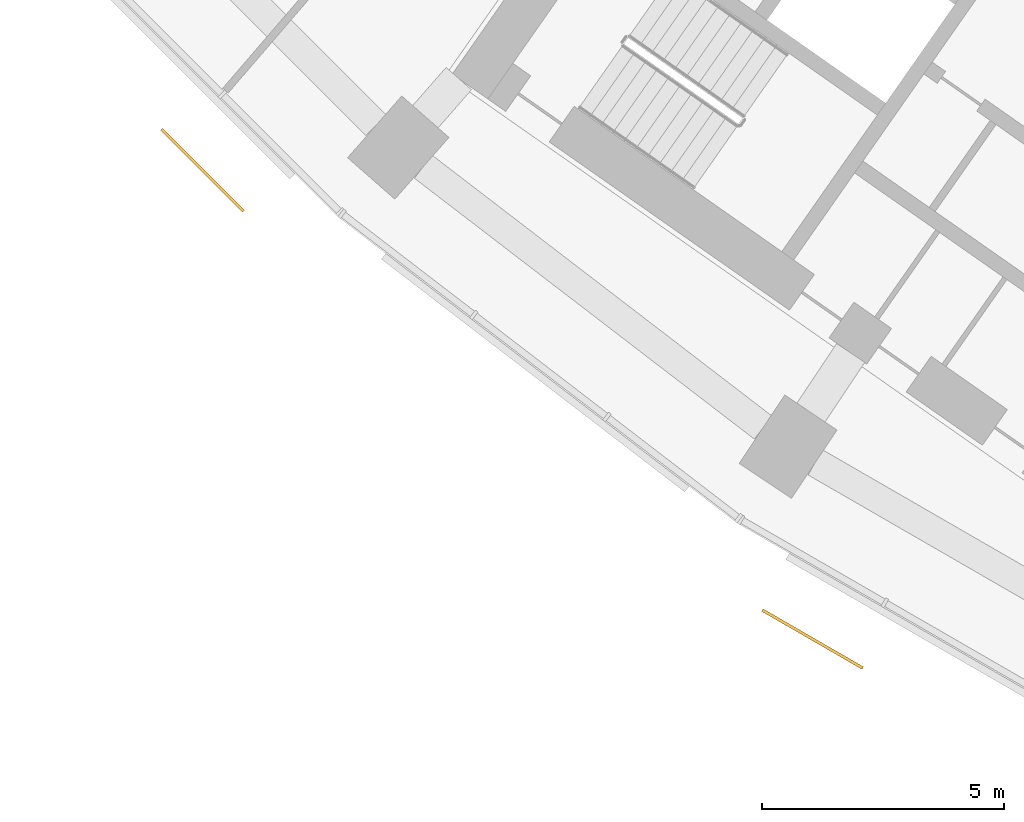
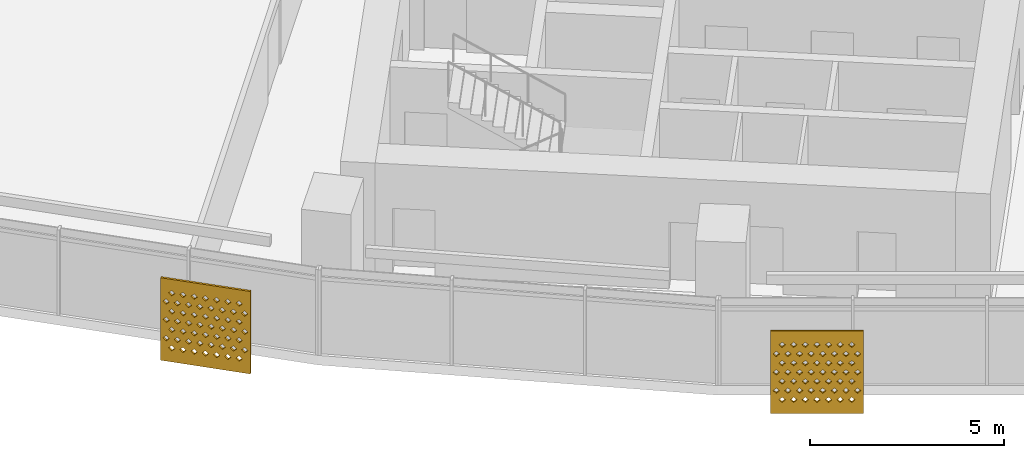
# One storey, part 24 of 31: 2 shading devices.
"""IFC4 building model written with IfcOpenShell, lengths in metres."""

from ifc_helpers import new_model, si_unit, direction, frame, origin, place, context, subcontext, project, spatial, polyline, outline, extrude, material, material_profile, profile_set, type_object, element, save


model = new_model("IFC4")

# Units and contexts
model_context = context("Model", 3, precision=1e-05, world=origin(), true_north=direction((0.0, 1.0)))
body_context = subcontext(model_context, "Body", "Model", "MODEL_VIEW")
ifc_project = project(units=[si_unit("LENGTHUNIT", "METRE"), si_unit("AREAUNIT", "SQUARE_METRE"), si_unit("VOLUMEUNIT", "CUBIC_METRE"), si_unit("PLANEANGLEUNIT", "RADIAN"), si_unit("MASSUNIT", "GRAM", prefix="KILO")], contexts=[model_context])

# Site, building, storey
site_placement = place(None, origin())
site = spatial("IfcSite", under=ifc_project, at=site_placement, CompositionType="ELEMENT")
building_placement = place(site_placement, origin())
building = spatial("IfcBuilding", under=site, at=building_placement, Name="Qamariyya Broadcast Tower", CompositionType="ELEMENT")
storey_placement = place(building_placement, frame((0.0, 0.0, 51.89990234375)))
storey = spatial("IfcBuildingStorey", under=building, at=storey_placement, Name="L09", CompositionType="ELEMENT", Elevation=51.89990234375)

# Shading devices
ifc_material = material(Name="Perforated glazed terracotta", Category="masonry")
ifc_material_profile = material_profile(ifc_material, outline(polyline([(-1.199951171875, -1.300048828125), (1.199951171875, -1.300048828125), (1.199951171875, 1.300048828125), (-1.199951171875, 1.300048828125), (-1.199951171875, -1.300048828125)]), holes=[polyline([(-0.81494140625, -0.86669921875), (-0.89990234375, -0.78173828125), (-0.985107421875, -0.86669921875), (-0.89990234375, -0.95166015625), (-0.81494140625, -0.86669921875)]), polyline([(-0.514892578125, -0.86669921875), (-0.60009765625, -0.78173828125), (-0.68505859375, -0.86669921875), (-0.60009765625, -0.95166015625), (-0.514892578125, -0.86669921875)]), polyline([(-0.215087890625, -0.86669921875), (-0.300048828125, -0.78173828125), (-0.385009765625, -0.86669921875), (-0.300048828125, -0.95166015625), (-0.215087890625, -0.86669921875)]), polyline([(0.0849609375, -0.86669921875), (0.0, -0.78173828125), (-0.0849609375, -0.86669921875), (0.0, -0.95166015625), (0.0849609375, -0.86669921875)]), polyline([(0.385009765625, -0.86669921875), (0.300048828125, -0.78173828125), (0.215087890625, -0.86669921875), (0.300048828125, -0.95166015625), (0.385009765625, -0.86669921875)]), polyline([(0.68505859375, -0.86669921875), (0.60009765625, -0.78173828125), (0.514892578125, -0.86669921875), (0.60009765625, -0.95166015625), (0.68505859375, -0.86669921875)]), polyline([(0.985107421875, -0.86669921875), (0.89990234375, -0.78173828125), (0.81494140625, -0.86669921875), (0.89990234375, -0.95166015625), (0.985107421875, -0.86669921875)]), polyline([(-0.965087890625, -0.577880859375), (-1.050048828125, -0.49267578125), (-1.135009765625, -0.577880859375), (-1.050048828125, -0.662841796875), (-0.965087890625, -0.577880859375)]), polyline([(-0.6650390625, -0.577880859375), (-0.75, -0.49267578125), (-0.8349609375, -0.577880859375), (-0.75, -0.662841796875), (-0.6650390625, -0.577880859375)]), polyline([(-0.364990234375, -0.577880859375), (-0.449951171875, -0.49267578125), (-0.534912109375, -0.577880859375), (-0.449951171875, -0.662841796875), (-0.364990234375, -0.577880859375)]), polyline([(-0.06494140625, -0.577880859375), (-0.14990234375, -0.49267578125), (-0.235107421875, -0.577880859375), (-0.14990234375, -0.662841796875), (-0.06494140625, -0.577880859375)]), polyline([(0.235107421875, -0.577880859375), (0.14990234375, -0.49267578125), (0.06494140625, -0.577880859375), (0.14990234375, -0.662841796875), (0.235107421875, -0.577880859375)]), polyline([(0.534912109375, -0.577880859375), (0.449951171875, -0.49267578125), (0.364990234375, -0.577880859375), (0.449951171875, -0.662841796875), (0.534912109375, -0.577880859375)]), polyline([(0.8349609375, -0.577880859375), (0.75, -0.49267578125), (0.6650390625, -0.577880859375), (0.75, -0.662841796875), (0.8349609375, -0.577880859375)]), polyline([(1.135009765625, -0.577880859375), (1.050048828125, -0.49267578125), (0.965087890625, -0.577880859375), (1.050048828125, -0.662841796875), (1.135009765625, -0.577880859375)]), polyline([(-0.81494140625, -0.288818359375), (-0.89990234375, -0.203857421875), (-0.985107421875, -0.288818359375), (-0.89990234375, -0.373779296875), (-0.81494140625, -0.288818359375)]), polyline([(-0.514892578125, -0.288818359375), (-0.60009765625, -0.203857421875), (-0.68505859375, -0.288818359375), (-0.60009765625, -0.373779296875), (-0.514892578125, -0.288818359375)]), polyline([(-0.215087890625, -0.288818359375), (-0.300048828125, -0.203857421875), (-0.385009765625, -0.288818359375), (-0.300048828125, -0.373779296875), (-0.215087890625, -0.288818359375)]), polyline([(0.0849609375, -0.288818359375), (0.0, -0.203857421875), (-0.0849609375, -0.288818359375), (0.0, -0.373779296875), (0.0849609375, -0.288818359375)]), polyline([(0.385009765625, -0.288818359375), (0.300048828125, -0.203857421875), (0.215087890625, -0.288818359375), (0.300048828125, -0.373779296875), (0.385009765625, -0.288818359375)]), polyline([(0.68505859375, -0.288818359375), (0.60009765625, -0.203857421875), (0.514892578125, -0.288818359375), (0.60009765625, -0.373779296875), (0.68505859375, -0.288818359375)]), polyline([(0.985107421875, -0.288818359375), (0.89990234375, -0.203857421875), (0.81494140625, -0.288818359375), (0.89990234375, -0.373779296875), (0.985107421875, -0.288818359375)]), polyline([(-0.965087890625, 0.0), (-1.050048828125, 0.0849609375), (-1.135009765625, 0.0), (-1.050048828125, -0.0849609375), (-0.965087890625, 0.0)]), polyline([(-0.6650390625, 0.0), (-0.75, 0.0849609375), (-0.8349609375, 0.0), (-0.75, -0.0849609375), (-0.6650390625, 0.0)]), polyline([(-0.364990234375, 0.0), (-0.449951171875, 0.0849609375), (-0.534912109375, 0.0), (-0.449951171875, -0.0849609375), (-0.364990234375, 0.0)]), polyline([(-0.06494140625, 0.0), (-0.14990234375, 0.0849609375), (-0.235107421875, 0.0), (-0.14990234375, -0.0849609375), (-0.06494140625, 0.0)]), polyline([(0.235107421875, 0.0), (0.14990234375, 0.0849609375), (0.06494140625, 0.0), (0.14990234375, -0.0849609375), (0.235107421875, 0.0)]), polyline([(0.534912109375, 0.0), (0.449951171875, 0.0849609375), (0.364990234375, 0.0), (0.449951171875, -0.0849609375), (0.534912109375, 0.0)]), polyline([(0.8349609375, 0.0), (0.75, 0.0849609375), (0.6650390625, 0.0), (0.75, -0.0849609375), (0.8349609375, 0.0)]), polyline([(1.135009765625, 0.0), (1.050048828125, 0.0849609375), (0.965087890625, 0.0), (1.050048828125, -0.0849609375), (1.135009765625, 0.0)]), polyline([(-0.81494140625, 0.288818359375), (-0.89990234375, 0.373779296875), (-0.985107421875, 0.288818359375), (-0.89990234375, 0.203857421875), (-0.81494140625, 0.288818359375)]), polyline([(-0.514892578125, 0.288818359375), (-0.60009765625, 0.373779296875), (-0.68505859375, 0.288818359375), (-0.60009765625, 0.203857421875), (-0.514892578125, 0.288818359375)]), polyline([(-0.215087890625, 0.288818359375), (-0.300048828125, 0.373779296875), (-0.385009765625, 0.288818359375), (-0.300048828125, 0.203857421875), (-0.215087890625, 0.288818359375)]), polyline([(0.0849609375, 0.288818359375), (0.0, 0.373779296875), (-0.0849609375, 0.288818359375), (0.0, 0.203857421875), (0.0849609375, 0.288818359375)]), polyline([(0.385009765625, 0.288818359375), (0.300048828125, 0.373779296875), (0.215087890625, 0.288818359375), (0.300048828125, 0.203857421875), (0.385009765625, 0.288818359375)]), polyline([(0.68505859375, 0.288818359375), (0.60009765625, 0.373779296875), (0.514892578125, 0.288818359375), (0.60009765625, 0.203857421875), (0.68505859375, 0.288818359375)]), polyline([(0.985107421875, 0.288818359375), (0.89990234375, 0.373779296875), (0.81494140625, 0.288818359375), (0.89990234375, 0.203857421875), (0.985107421875, 0.288818359375)]), polyline([(-0.965087890625, 0.577880859375), (-1.050048828125, 0.662841796875), (-1.135009765625, 0.577880859375), (-1.050048828125, 0.49267578125), (-0.965087890625, 0.577880859375)]), polyline([(-0.6650390625, 0.577880859375), (-0.75, 0.662841796875), (-0.8349609375, 0.577880859375), (-0.75, 0.49267578125), (-0.6650390625, 0.577880859375)]), polyline([(-0.364990234375, 0.577880859375), (-0.449951171875, 0.662841796875), (-0.534912109375, 0.577880859375), (-0.449951171875, 0.49267578125), (-0.364990234375, 0.577880859375)]), polyline([(-0.06494140625, 0.577880859375), (-0.14990234375, 0.662841796875), (-0.235107421875, 0.577880859375), (-0.14990234375, 0.49267578125), (-0.06494140625, 0.577880859375)]), polyline([(0.235107421875, 0.577880859375), (0.14990234375, 0.662841796875), (0.06494140625, 0.577880859375), (0.14990234375, 0.49267578125), (0.235107421875, 0.577880859375)]), polyline([(0.534912109375, 0.577880859375), (0.449951171875, 0.662841796875), (0.364990234375, 0.577880859375), (0.449951171875, 0.49267578125), (0.534912109375, 0.577880859375)]), polyline([(0.8349609375, 0.577880859375), (0.75, 0.662841796875), (0.6650390625, 0.577880859375), (0.75, 0.49267578125), (0.8349609375, 0.577880859375)]), polyline([(1.135009765625, 0.577880859375), (1.050048828125, 0.662841796875), (0.965087890625, 0.577880859375), (1.050048828125, 0.49267578125), (1.135009765625, 0.577880859375)]), polyline([(-0.81494140625, 0.86669921875), (-0.89990234375, 0.95166015625), (-0.985107421875, 0.86669921875), (-0.89990234375, 0.78173828125), (-0.81494140625, 0.86669921875)]), polyline([(-0.514892578125, 0.86669921875), (-0.60009765625, 0.95166015625), (-0.68505859375, 0.86669921875), (-0.60009765625, 0.78173828125), (-0.514892578125, 0.86669921875)]), polyline([(-0.215087890625, 0.86669921875), (-0.300048828125, 0.95166015625), (-0.385009765625, 0.86669921875), (-0.300048828125, 0.78173828125), (-0.215087890625, 0.86669921875)]), polyline([(0.0849609375, 0.86669921875), (0.0, 0.95166015625), (-0.0849609375, 0.86669921875), (0.0, 0.78173828125), (0.0849609375, 0.86669921875)]), polyline([(0.385009765625, 0.86669921875), (0.300048828125, 0.95166015625), (0.215087890625, 0.86669921875), (0.300048828125, 0.78173828125), (0.385009765625, 0.86669921875)]), polyline([(0.68505859375, 0.86669921875), (0.60009765625, 0.95166015625), (0.514892578125, 0.86669921875), (0.60009765625, 0.78173828125), (0.68505859375, 0.86669921875)]), polyline([(0.985107421875, 0.86669921875), (0.89990234375, 0.95166015625), (0.81494140625, 0.86669921875), (0.89990234375, 0.78173828125), (0.985107421875, 0.86669921875)])]))
ifc_profile_set = profile_set([ifc_material_profile], Name="Perforated glazed terracotta")
shading_device_type = type_object("IfcShadingDeviceType", Name="Perforated terracotta screen 2400 x 2600", PredefinedType="USERDEFINED", material=ifc_profile_set)
shading_device_1_placement = place(storey_placement, frame((-55.293701171875, -58.9033203125, 1.35009765625), z_axis=(-0.707106781187, -0.707106781187, 0.0), x_axis=(0.707106781187, -0.707106781187, 0.0)))
element("IfcShadingDevice", 1, at=shading_device_1_placement, inside=storey, type_object=shading_device_type, Name="e-scr-L09-02-2", ObjectType="SCREEN", PredefinedType="USERDEFINED", context=body_context, shape_type="SweptSolid", body=[
    extrude(outline(polyline([(-1.199951171875, -1.300048828125), (1.199951171875, -1.300048828125), (1.199951171875, 1.300048828125), (-1.199951171875, 1.300048828125), (-1.199951171875, -1.300048828125)]), holes=[polyline([(-0.81494140625, -0.86669921875), (-0.89990234375, -0.78173828125), (-0.985107421875, -0.86669921875), (-0.89990234375, -0.95166015625), (-0.81494140625, -0.86669921875)]), polyline([(-0.514892578125, -0.86669921875), (-0.60009765625, -0.78173828125), (-0.68505859375, -0.86669921875), (-0.60009765625, -0.95166015625), (-0.514892578125, -0.86669921875)]), polyline([(-0.215087890625, -0.86669921875), (-0.300048828125, -0.78173828125), (-0.385009765625, -0.86669921875), (-0.300048828125, -0.95166015625), (-0.215087890625, -0.86669921875)]), polyline([(0.0849609375, -0.86669921875), (0.0, -0.78173828125), (-0.0849609375, -0.86669921875), (0.0, -0.95166015625), (0.0849609375, -0.86669921875)]), polyline([(0.385009765625, -0.86669921875), (0.300048828125, -0.78173828125), (0.215087890625, -0.86669921875), (0.300048828125, -0.95166015625), (0.385009765625, -0.86669921875)]), polyline([(0.68505859375, -0.86669921875), (0.60009765625, -0.78173828125), (0.514892578125, -0.86669921875), (0.60009765625, -0.95166015625), (0.68505859375, -0.86669921875)]), polyline([(0.985107421875, -0.86669921875), (0.89990234375, -0.78173828125), (0.81494140625, -0.86669921875), (0.89990234375, -0.95166015625), (0.985107421875, -0.86669921875)]), polyline([(-0.965087890625, -0.577880859375), (-1.050048828125, -0.49267578125), (-1.135009765625, -0.577880859375), (-1.050048828125, -0.662841796875), (-0.965087890625, -0.577880859375)]), polyline([(-0.6650390625, -0.577880859375), (-0.75, -0.49267578125), (-0.8349609375, -0.577880859375), (-0.75, -0.662841796875), (-0.6650390625, -0.577880859375)]), polyline([(-0.364990234375, -0.577880859375), (-0.449951171875, -0.49267578125), (-0.534912109375, -0.577880859375), (-0.449951171875, -0.662841796875), (-0.364990234375, -0.577880859375)]), polyline([(-0.06494140625, -0.577880859375), (-0.14990234375, -0.49267578125), (-0.235107421875, -0.577880859375), (-0.14990234375, -0.662841796875), (-0.06494140625, -0.577880859375)]), polyline([(0.235107421875, -0.577880859375), (0.14990234375, -0.49267578125), (0.06494140625, -0.577880859375), (0.14990234375, -0.662841796875), (0.235107421875, -0.577880859375)]), polyline([(0.534912109375, -0.577880859375), (0.449951171875, -0.49267578125), (0.364990234375, -0.577880859375), (0.449951171875, -0.662841796875), (0.534912109375, -0.577880859375)]), polyline([(0.8349609375, -0.577880859375), (0.75, -0.49267578125), (0.6650390625, -0.577880859375), (0.75, -0.662841796875), (0.8349609375, -0.577880859375)]), polyline([(1.135009765625, -0.577880859375), (1.050048828125, -0.49267578125), (0.965087890625, -0.577880859375), (1.050048828125, -0.662841796875), (1.135009765625, -0.577880859375)]), polyline([(-0.81494140625, -0.288818359375), (-0.89990234375, -0.203857421875), (-0.985107421875, -0.288818359375), (-0.89990234375, -0.373779296875), (-0.81494140625, -0.288818359375)]), polyline([(-0.514892578125, -0.288818359375), (-0.60009765625, -0.203857421875), (-0.68505859375, -0.288818359375), (-0.60009765625, -0.373779296875), (-0.514892578125, -0.288818359375)]), polyline([(-0.215087890625, -0.288818359375), (-0.300048828125, -0.203857421875), (-0.385009765625, -0.288818359375), (-0.300048828125, -0.373779296875), (-0.215087890625, -0.288818359375)]), polyline([(0.0849609375, -0.288818359375), (0.0, -0.203857421875), (-0.0849609375, -0.288818359375), (0.0, -0.373779296875), (0.0849609375, -0.288818359375)]), polyline([(0.385009765625, -0.288818359375), (0.300048828125, -0.203857421875), (0.215087890625, -0.288818359375), (0.300048828125, -0.373779296875), (0.385009765625, -0.288818359375)]), polyline([(0.68505859375, -0.288818359375), (0.60009765625, -0.203857421875), (0.514892578125, -0.288818359375), (0.60009765625, -0.373779296875), (0.68505859375, -0.288818359375)]), polyline([(0.985107421875, -0.288818359375), (0.89990234375, -0.203857421875), (0.81494140625, -0.288818359375), (0.89990234375, -0.373779296875), (0.985107421875, -0.288818359375)]), polyline([(-0.965087890625, 0.0), (-1.050048828125, 0.0849609375), (-1.135009765625, 0.0), (-1.050048828125, -0.0849609375), (-0.965087890625, 0.0)]), polyline([(-0.6650390625, 0.0), (-0.75, 0.0849609375), (-0.8349609375, 0.0), (-0.75, -0.0849609375), (-0.6650390625, 0.0)]), polyline([(-0.364990234375, 0.0), (-0.449951171875, 0.0849609375), (-0.534912109375, 0.0), (-0.449951171875, -0.0849609375), (-0.364990234375, 0.0)]), polyline([(-0.06494140625, 0.0), (-0.14990234375, 0.0849609375), (-0.235107421875, 0.0), (-0.14990234375, -0.0849609375), (-0.06494140625, 0.0)]), polyline([(0.235107421875, 0.0), (0.14990234375, 0.0849609375), (0.06494140625, 0.0), (0.14990234375, -0.0849609375), (0.235107421875, 0.0)]), polyline([(0.534912109375, 0.0), (0.449951171875, 0.0849609375), (0.364990234375, 0.0), (0.449951171875, -0.0849609375), (0.534912109375, 0.0)]), polyline([(0.8349609375, 0.0), (0.75, 0.0849609375), (0.6650390625, 0.0), (0.75, -0.0849609375), (0.8349609375, 0.0)]), polyline([(1.135009765625, 0.0), (1.050048828125, 0.0849609375), (0.965087890625, 0.0), (1.050048828125, -0.0849609375), (1.135009765625, 0.0)]), polyline([(-0.81494140625, 0.288818359375), (-0.89990234375, 0.373779296875), (-0.985107421875, 0.288818359375), (-0.89990234375, 0.203857421875), (-0.81494140625, 0.288818359375)]), polyline([(-0.514892578125, 0.288818359375), (-0.60009765625, 0.373779296875), (-0.68505859375, 0.288818359375), (-0.60009765625, 0.203857421875), (-0.514892578125, 0.288818359375)]), polyline([(-0.215087890625, 0.288818359375), (-0.300048828125, 0.373779296875), (-0.385009765625, 0.288818359375), (-0.300048828125, 0.203857421875), (-0.215087890625, 0.288818359375)]), polyline([(0.0849609375, 0.288818359375), (0.0, 0.373779296875), (-0.0849609375, 0.288818359375), (0.0, 0.203857421875), (0.0849609375, 0.288818359375)]), polyline([(0.385009765625, 0.288818359375), (0.300048828125, 0.373779296875), (0.215087890625, 0.288818359375), (0.300048828125, 0.203857421875), (0.385009765625, 0.288818359375)]), polyline([(0.68505859375, 0.288818359375), (0.60009765625, 0.373779296875), (0.514892578125, 0.288818359375), (0.60009765625, 0.203857421875), (0.68505859375, 0.288818359375)]), polyline([(0.985107421875, 0.288818359375), (0.89990234375, 0.373779296875), (0.81494140625, 0.288818359375), (0.89990234375, 0.203857421875), (0.985107421875, 0.288818359375)]), polyline([(-0.965087890625, 0.577880859375), (-1.050048828125, 0.662841796875), (-1.135009765625, 0.577880859375), (-1.050048828125, 0.49267578125), (-0.965087890625, 0.577880859375)]), polyline([(-0.6650390625, 0.577880859375), (-0.75, 0.662841796875), (-0.8349609375, 0.577880859375), (-0.75, 0.49267578125), (-0.6650390625, 0.577880859375)]), polyline([(-0.364990234375, 0.577880859375), (-0.449951171875, 0.662841796875), (-0.534912109375, 0.577880859375), (-0.449951171875, 0.49267578125), (-0.364990234375, 0.577880859375)]), polyline([(-0.06494140625, 0.577880859375), (-0.14990234375, 0.662841796875), (-0.235107421875, 0.577880859375), (-0.14990234375, 0.49267578125), (-0.06494140625, 0.577880859375)]), polyline([(0.235107421875, 0.577880859375), (0.14990234375, 0.662841796875), (0.06494140625, 0.577880859375), (0.14990234375, 0.49267578125), (0.235107421875, 0.577880859375)]), polyline([(0.534912109375, 0.577880859375), (0.449951171875, 0.662841796875), (0.364990234375, 0.577880859375), (0.449951171875, 0.49267578125), (0.534912109375, 0.577880859375)]), polyline([(0.8349609375, 0.577880859375), (0.75, 0.662841796875), (0.6650390625, 0.577880859375), (0.75, 0.49267578125), (0.8349609375, 0.577880859375)]), polyline([(1.135009765625, 0.577880859375), (1.050048828125, 0.662841796875), (0.965087890625, 0.577880859375), (1.050048828125, 0.49267578125), (1.135009765625, 0.577880859375)]), polyline([(-0.81494140625, 0.86669921875), (-0.89990234375, 0.95166015625), (-0.985107421875, 0.86669921875), (-0.89990234375, 0.78173828125), (-0.81494140625, 0.86669921875)]), polyline([(-0.514892578125, 0.86669921875), (-0.60009765625, 0.95166015625), (-0.68505859375, 0.86669921875), (-0.60009765625, 0.78173828125), (-0.514892578125, 0.86669921875)]), polyline([(-0.215087890625, 0.86669921875), (-0.300048828125, 0.95166015625), (-0.385009765625, 0.86669921875), (-0.300048828125, 0.78173828125), (-0.215087890625, 0.86669921875)]), polyline([(0.0849609375, 0.86669921875), (0.0, 0.95166015625), (-0.0849609375, 0.86669921875), (0.0, 0.78173828125), (0.0849609375, 0.86669921875)]), polyline([(0.385009765625, 0.86669921875), (0.300048828125, 0.95166015625), (0.215087890625, 0.86669921875), (0.300048828125, 0.78173828125), (0.385009765625, 0.86669921875)]), polyline([(0.68505859375, 0.86669921875), (0.60009765625, 0.95166015625), (0.514892578125, 0.86669921875), (0.60009765625, 0.78173828125), (0.68505859375, 0.86669921875)]), polyline([(0.985107421875, 0.86669921875), (0.89990234375, 0.95166015625), (0.81494140625, 0.86669921875), (0.89990234375, 0.78173828125), (0.985107421875, 0.86669921875)])]), origin(), (0.0, 0.0, 1.0), 0.06005859375),
])
shading_device_2_placement = place(storey_placement, frame((-42.67578125, -68.6025390625, 1.35009765625), z_axis=(-0.500074377092, -0.865982457891, 0.0), x_axis=(0.865982457891, -0.500074377092, 0.0)))
element("IfcShadingDevice", 2, at=shading_device_2_placement, inside=storey, type_object=shading_device_type, Name="e-scr-L09-04-0", ObjectType="SCREEN", PredefinedType="USERDEFINED", context=body_context, shape_type="SweptSolid", body=[
    extrude(outline(polyline([(-1.199951171875, -1.300048828125), (1.199951171875, -1.300048828125), (1.199951171875, 1.300048828125), (-1.199951171875, 1.300048828125), (-1.199951171875, -1.300048828125)]), holes=[polyline([(-0.81494140625, -0.86669921875), (-0.89990234375, -0.78173828125), (-0.985107421875, -0.86669921875), (-0.89990234375, -0.95166015625), (-0.81494140625, -0.86669921875)]), polyline([(-0.514892578125, -0.86669921875), (-0.60009765625, -0.78173828125), (-0.68505859375, -0.86669921875), (-0.60009765625, -0.95166015625), (-0.514892578125, -0.86669921875)]), polyline([(-0.215087890625, -0.86669921875), (-0.300048828125, -0.78173828125), (-0.385009765625, -0.86669921875), (-0.300048828125, -0.95166015625), (-0.215087890625, -0.86669921875)]), polyline([(0.0849609375, -0.86669921875), (0.0, -0.78173828125), (-0.0849609375, -0.86669921875), (0.0, -0.95166015625), (0.0849609375, -0.86669921875)]), polyline([(0.385009765625, -0.86669921875), (0.300048828125, -0.78173828125), (0.215087890625, -0.86669921875), (0.300048828125, -0.95166015625), (0.385009765625, -0.86669921875)]), polyline([(0.68505859375, -0.86669921875), (0.60009765625, -0.78173828125), (0.514892578125, -0.86669921875), (0.60009765625, -0.95166015625), (0.68505859375, -0.86669921875)]), polyline([(0.985107421875, -0.86669921875), (0.89990234375, -0.78173828125), (0.81494140625, -0.86669921875), (0.89990234375, -0.95166015625), (0.985107421875, -0.86669921875)]), polyline([(-0.965087890625, -0.577880859375), (-1.050048828125, -0.49267578125), (-1.135009765625, -0.577880859375), (-1.050048828125, -0.662841796875), (-0.965087890625, -0.577880859375)]), polyline([(-0.6650390625, -0.577880859375), (-0.75, -0.49267578125), (-0.8349609375, -0.577880859375), (-0.75, -0.662841796875), (-0.6650390625, -0.577880859375)]), polyline([(-0.364990234375, -0.577880859375), (-0.449951171875, -0.49267578125), (-0.534912109375, -0.577880859375), (-0.449951171875, -0.662841796875), (-0.364990234375, -0.577880859375)]), polyline([(-0.06494140625, -0.577880859375), (-0.14990234375, -0.49267578125), (-0.235107421875, -0.577880859375), (-0.14990234375, -0.662841796875), (-0.06494140625, -0.577880859375)]), polyline([(0.235107421875, -0.577880859375), (0.14990234375, -0.49267578125), (0.06494140625, -0.577880859375), (0.14990234375, -0.662841796875), (0.235107421875, -0.577880859375)]), polyline([(0.534912109375, -0.577880859375), (0.449951171875, -0.49267578125), (0.364990234375, -0.577880859375), (0.449951171875, -0.662841796875), (0.534912109375, -0.577880859375)]), polyline([(0.8349609375, -0.577880859375), (0.75, -0.49267578125), (0.6650390625, -0.577880859375), (0.75, -0.662841796875), (0.8349609375, -0.577880859375)]), polyline([(1.135009765625, -0.577880859375), (1.050048828125, -0.49267578125), (0.965087890625, -0.577880859375), (1.050048828125, -0.662841796875), (1.135009765625, -0.577880859375)]), polyline([(-0.81494140625, -0.288818359375), (-0.89990234375, -0.203857421875), (-0.985107421875, -0.288818359375), (-0.89990234375, -0.373779296875), (-0.81494140625, -0.288818359375)]), polyline([(-0.514892578125, -0.288818359375), (-0.60009765625, -0.203857421875), (-0.68505859375, -0.288818359375), (-0.60009765625, -0.373779296875), (-0.514892578125, -0.288818359375)]), polyline([(-0.215087890625, -0.288818359375), (-0.300048828125, -0.203857421875), (-0.385009765625, -0.288818359375), (-0.300048828125, -0.373779296875), (-0.215087890625, -0.288818359375)]), polyline([(0.0849609375, -0.288818359375), (0.0, -0.203857421875), (-0.0849609375, -0.288818359375), (0.0, -0.373779296875), (0.0849609375, -0.288818359375)]), polyline([(0.385009765625, -0.288818359375), (0.300048828125, -0.203857421875), (0.215087890625, -0.288818359375), (0.300048828125, -0.373779296875), (0.385009765625, -0.288818359375)]), polyline([(0.68505859375, -0.288818359375), (0.60009765625, -0.203857421875), (0.514892578125, -0.288818359375), (0.60009765625, -0.373779296875), (0.68505859375, -0.288818359375)]), polyline([(0.985107421875, -0.288818359375), (0.89990234375, -0.203857421875), (0.81494140625, -0.288818359375), (0.89990234375, -0.373779296875), (0.985107421875, -0.288818359375)]), polyline([(-0.965087890625, 0.0), (-1.050048828125, 0.0849609375), (-1.135009765625, 0.0), (-1.050048828125, -0.0849609375), (-0.965087890625, 0.0)]), polyline([(-0.6650390625, 0.0), (-0.75, 0.0849609375), (-0.8349609375, 0.0), (-0.75, -0.0849609375), (-0.6650390625, 0.0)]), polyline([(-0.364990234375, 0.0), (-0.449951171875, 0.0849609375), (-0.534912109375, 0.0), (-0.449951171875, -0.0849609375), (-0.364990234375, 0.0)]), polyline([(-0.06494140625, 0.0), (-0.14990234375, 0.0849609375), (-0.235107421875, 0.0), (-0.14990234375, -0.0849609375), (-0.06494140625, 0.0)]), polyline([(0.235107421875, 0.0), (0.14990234375, 0.0849609375), (0.06494140625, 0.0), (0.14990234375, -0.0849609375), (0.235107421875, 0.0)]), polyline([(0.534912109375, 0.0), (0.449951171875, 0.0849609375), (0.364990234375, 0.0), (0.449951171875, -0.0849609375), (0.534912109375, 0.0)]), polyline([(0.8349609375, 0.0), (0.75, 0.0849609375), (0.6650390625, 0.0), (0.75, -0.0849609375), (0.8349609375, 0.0)]), polyline([(1.135009765625, 0.0), (1.050048828125, 0.0849609375), (0.965087890625, 0.0), (1.050048828125, -0.0849609375), (1.135009765625, 0.0)]), polyline([(-0.81494140625, 0.288818359375), (-0.89990234375, 0.373779296875), (-0.985107421875, 0.288818359375), (-0.89990234375, 0.203857421875), (-0.81494140625, 0.288818359375)]), polyline([(-0.514892578125, 0.288818359375), (-0.60009765625, 0.373779296875), (-0.68505859375, 0.288818359375), (-0.60009765625, 0.203857421875), (-0.514892578125, 0.288818359375)]), polyline([(-0.215087890625, 0.288818359375), (-0.300048828125, 0.373779296875), (-0.385009765625, 0.288818359375), (-0.300048828125, 0.203857421875), (-0.215087890625, 0.288818359375)]), polyline([(0.0849609375, 0.288818359375), (0.0, 0.373779296875), (-0.0849609375, 0.288818359375), (0.0, 0.203857421875), (0.0849609375, 0.288818359375)]), polyline([(0.385009765625, 0.288818359375), (0.300048828125, 0.373779296875), (0.215087890625, 0.288818359375), (0.300048828125, 0.203857421875), (0.385009765625, 0.288818359375)]), polyline([(0.68505859375, 0.288818359375), (0.60009765625, 0.373779296875), (0.514892578125, 0.288818359375), (0.60009765625, 0.203857421875), (0.68505859375, 0.288818359375)]), polyline([(0.985107421875, 0.288818359375), (0.89990234375, 0.373779296875), (0.81494140625, 0.288818359375), (0.89990234375, 0.203857421875), (0.985107421875, 0.288818359375)]), polyline([(-0.965087890625, 0.577880859375), (-1.050048828125, 0.662841796875), (-1.135009765625, 0.577880859375), (-1.050048828125, 0.49267578125), (-0.965087890625, 0.577880859375)]), polyline([(-0.6650390625, 0.577880859375), (-0.75, 0.662841796875), (-0.8349609375, 0.577880859375), (-0.75, 0.49267578125), (-0.6650390625, 0.577880859375)]), polyline([(-0.364990234375, 0.577880859375), (-0.449951171875, 0.662841796875), (-0.534912109375, 0.577880859375), (-0.449951171875, 0.49267578125), (-0.364990234375, 0.577880859375)]), polyline([(-0.06494140625, 0.577880859375), (-0.14990234375, 0.662841796875), (-0.235107421875, 0.577880859375), (-0.14990234375, 0.49267578125), (-0.06494140625, 0.577880859375)]), polyline([(0.235107421875, 0.577880859375), (0.14990234375, 0.662841796875), (0.06494140625, 0.577880859375), (0.14990234375, 0.49267578125), (0.235107421875, 0.577880859375)]), polyline([(0.534912109375, 0.577880859375), (0.449951171875, 0.662841796875), (0.364990234375, 0.577880859375), (0.449951171875, 0.49267578125), (0.534912109375, 0.577880859375)]), polyline([(0.8349609375, 0.577880859375), (0.75, 0.662841796875), (0.6650390625, 0.577880859375), (0.75, 0.49267578125), (0.8349609375, 0.577880859375)]), polyline([(1.135009765625, 0.577880859375), (1.050048828125, 0.662841796875), (0.965087890625, 0.577880859375), (1.050048828125, 0.49267578125), (1.135009765625, 0.577880859375)]), polyline([(-0.81494140625, 0.86669921875), (-0.89990234375, 0.95166015625), (-0.985107421875, 0.86669921875), (-0.89990234375, 0.78173828125), (-0.81494140625, 0.86669921875)]), polyline([(-0.514892578125, 0.86669921875), (-0.60009765625, 0.95166015625), (-0.68505859375, 0.86669921875), (-0.60009765625, 0.78173828125), (-0.514892578125, 0.86669921875)]), polyline([(-0.215087890625, 0.86669921875), (-0.300048828125, 0.95166015625), (-0.385009765625, 0.86669921875), (-0.300048828125, 0.78173828125), (-0.215087890625, 0.86669921875)]), polyline([(0.0849609375, 0.86669921875), (0.0, 0.95166015625), (-0.0849609375, 0.86669921875), (0.0, 0.78173828125), (0.0849609375, 0.86669921875)]), polyline([(0.385009765625, 0.86669921875), (0.300048828125, 0.95166015625), (0.215087890625, 0.86669921875), (0.300048828125, 0.78173828125), (0.385009765625, 0.86669921875)]), polyline([(0.68505859375, 0.86669921875), (0.60009765625, 0.95166015625), (0.514892578125, 0.86669921875), (0.60009765625, 0.78173828125), (0.68505859375, 0.86669921875)]), polyline([(0.985107421875, 0.86669921875), (0.89990234375, 0.95166015625), (0.81494140625, 0.86669921875), (0.89990234375, 0.78173828125), (0.985107421875, 0.86669921875)])]), origin(), (0.0, 0.0, 1.0), 0.06005859375),
])

save(model, "model.ifc")
